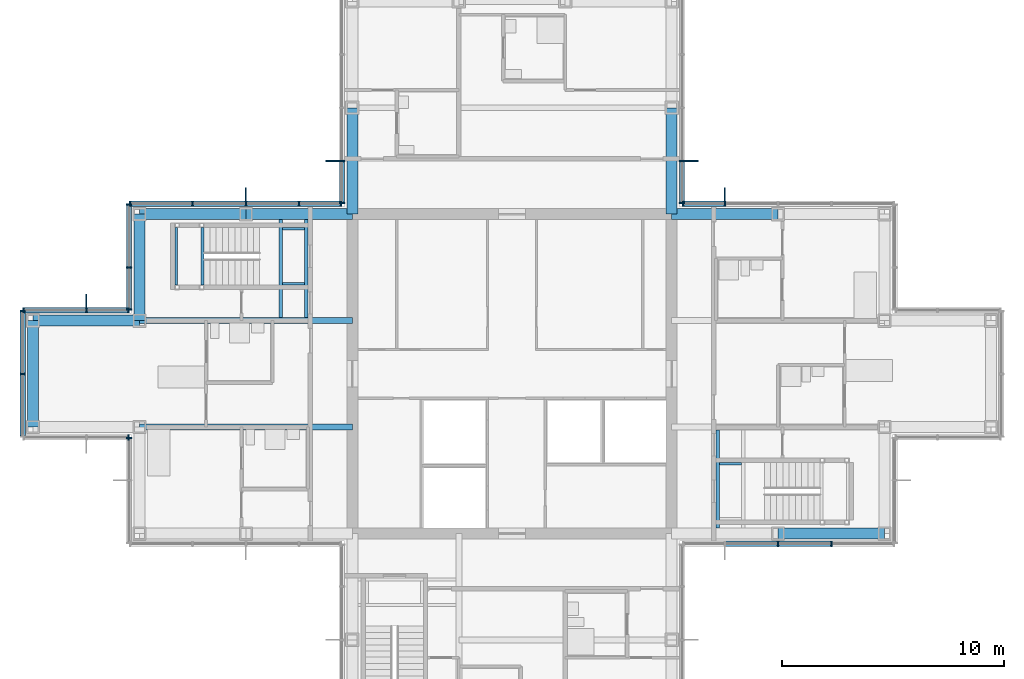
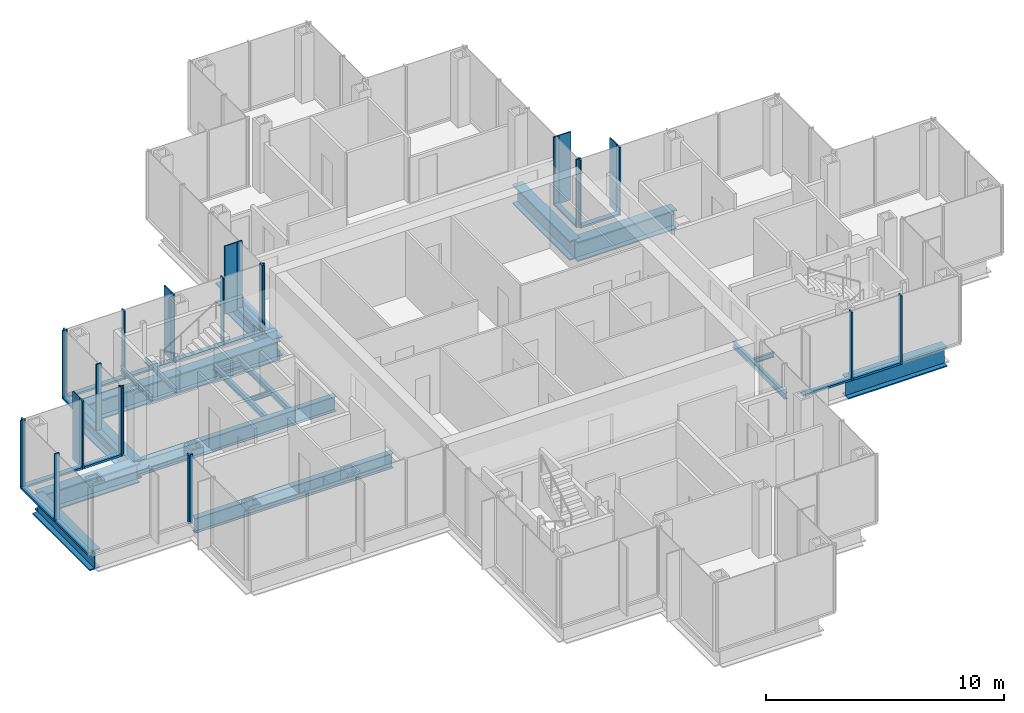
# One storey, part 7 of 17: 43 members, 19 beams, 10 elements without a shape of their own.
"""IFC4 building model written with IfcOpenShell, lengths in metres."""

from ifc_helpers import new_model, si_unit, direction, frame, origin, origin_2d, place, context, subcontext, project, spatial, rectangle, i_section, extrude, material, material_profile, profile_set, type_object, element, aggregate, save


model = new_model("IFC4")

# Units and contexts
model_context = context("Model", 3, precision=1e-05, world=origin(), true_north=direction((0.0, 1.0)))
body_context = subcontext(model_context, "Body", "Model", "MODEL_VIEW")
ifc_project = project(units=[si_unit("LENGTHUNIT", "METRE"), si_unit("AREAUNIT", "SQUARE_METRE"), si_unit("VOLUMEUNIT", "CUBIC_METRE"), si_unit("PLANEANGLEUNIT", "RADIAN"), si_unit("MASSUNIT", "GRAM", prefix="KILO")], contexts=[model_context])

# Site, building, storey
site_placement = place(None, origin())
site = spatial("IfcSite", under=ifc_project, at=site_placement, CompositionType="ELEMENT")
building_placement = place(site_placement, origin())
building = spatial("IfcBuilding", under=site, at=building_placement, Name="Kvirike Care Tower", CompositionType="ELEMENT")
storey_placement = place(building_placement, frame((0.0, 0.0, 172.5)))
storey = spatial("IfcBuildingStorey", under=building, at=storey_placement, Name="L47", CompositionType="ELEMENT", Elevation=172.5)

# Curtain wall, member
ifc_material_1 = material(Name="Anodised aluminium stick system", Category="aluminium")
curtain_wall_type = type_object("IfcCurtainWallType", Name="CW-C STICK CURTAIN WALL", PredefinedType="NOTDEFINED", material=ifc_material_1)
curtain_wall_1_placement = place(storey_placement, origin())
curtain_wall_1 = element("IfcCurtainWall", 1, at=curtain_wall_1_placement, inside=storey, type_object=curtain_wall_type, Name="Curtain wall L47 face 7", PredefinedType="NOTDEFINED")
ifc_material_2 = material(Name="Bronze anodised aluminium fin", Category="aluminium")
ifc_material_profile_1 = material_profile(ifc_material_2, rectangle(XDim=0.050048828125, YDim=0.60009765625, at=origin_2d()), Name="BRONZE FIN 600")
ifc_profile_set_1 = profile_set([ifc_material_profile_1], Name="Bronze anodised aluminium fin")
member_type_1 = type_object("IfcMemberType", Name="BRONZE FIN 600", PredefinedType="USERDEFINED", material=ifc_profile_set_1)
member_1_placement = place(storey_placement, frame((31.199951171875, 44.090087890625, 0.0), z_axis=(0.0, 0.0, 1.0), x_axis=(-1.0, 0.0, 0.0)))
member_1 = element("IfcMember", 2, at=member_1_placement, type_object=member_type_1, Name="Bronze fin L47 face 7.4", ObjectType="FIN", PredefinedType="USERDEFINED", context=body_context, shape_type="SweptSolid", body=[
    extrude(rectangle(XDim=0.050048828125, YDim=0.60009765625, at=origin_2d()), origin(), (0.0, 0.0, 1.0), 3.5),
])

curtain_wall_2_placement = place(storey_placement, origin())
curtain_wall_2 = element("IfcCurtainWall", 3, at=curtain_wall_2_placement, inside=storey, type_object=curtain_wall_type, Name="Curtain wall L47 face 8", PredefinedType="NOTDEFINED")
member_2_placement = place(storey_placement, frame((29.68994140625, 45.60009765625, 0.0), z_axis=(0.0, 0.0, 1.0), x_axis=(0.0, 1.0, 0.0)))
member_2 = element("IfcMember", 4, at=member_2_placement, type_object=member_type_1, Name="Bronze fin L47 face 8.2", ObjectType="FIN", PredefinedType="USERDEFINED", context=body_context, shape_type="SweptSolid", body=[
    extrude(rectangle(XDim=0.050048828125, YDim=0.60009765625, at=origin_2d()), origin(), (0.0, 0.0, 1.0), 3.5),
])

curtain_wall_3_placement = place(storey_placement, origin())
curtain_wall_3 = element("IfcCurtainWall", 5, at=curtain_wall_3_placement, inside=storey, type_object=curtain_wall_type, Name="Curtain wall L47 face 14", PredefinedType="NOTDEFINED")
member_3_placement = place(storey_placement, frame((13.510009765625, 45.60009765625, 0.0), z_axis=(0.0, 0.0, 1.0), x_axis=(0.0, -1.0, 0.0)))
member_3 = element("IfcMember", 6, at=member_3_placement, type_object=member_type_1, Name="Bronze fin L47 face 14.4", ObjectType="FIN", PredefinedType="USERDEFINED", context=body_context, shape_type="SweptSolid", body=[
    extrude(rectangle(XDim=0.050048828125, YDim=0.60009765625, at=origin_2d()), origin(), (0.0, 0.0, 1.0), 3.5),
])

curtain_wall_4_placement = place(storey_placement, origin())
curtain_wall_4 = element("IfcCurtainWall", 7, at=curtain_wall_4_placement, inside=storey, type_object=curtain_wall_type, Name="Curtain wall L47 face 15", PredefinedType="NOTDEFINED")
member_4_placement = place(storey_placement, frame((9.60009765625, 44.090087890625, 0.0), z_axis=(0.0, 0.0, 1.0), x_axis=(-1.0, 0.0, 0.0)))
member_4 = element("IfcMember", 8, at=member_4_placement, type_object=member_type_1, Name="Bronze fin L47 face 15.3", ObjectType="FIN", PredefinedType="USERDEFINED", context=body_context, shape_type="SweptSolid", body=[
    extrude(rectangle(XDim=0.050048828125, YDim=0.60009765625, at=origin_2d()), origin(), (0.0, 0.0, 1.0), 3.5),
])

curtain_wall_5_placement = place(storey_placement, origin())
curtain_wall_5 = element("IfcCurtainWall", 9, at=curtain_wall_5_placement, inside=storey, type_object=curtain_wall_type, Name="Curtain wall L47 face 17", PredefinedType="NOTDEFINED")
member_5_placement = place(storey_placement, frame((2.39990234375, 39.2900390625, 0.0), z_axis=(0.0, 0.0, 1.0), x_axis=(-1.0, 0.0, 0.0)))
member_5 = element("IfcMember", 10, at=member_5_placement, type_object=member_type_1, Name="Bronze fin L47 face 17.2", ObjectType="FIN", PredefinedType="USERDEFINED", context=body_context, shape_type="SweptSolid", body=[
    extrude(rectangle(XDim=0.050048828125, YDim=0.60009765625, at=origin_2d()), origin(), (0.0, 0.0, 1.0), 3.5),
])

# Curtain wall, members
curtain_wall_6_placement = place(storey_placement, origin())
curtain_wall_6 = element("IfcCurtainWall", 11, at=curtain_wall_6_placement, inside=storey, type_object=curtain_wall_type, Name="Curtain wall L47 face 1", PredefinedType="NOTDEFINED")
ifc_material_3 = material(Name="Bronze anodised aluminium mullion", Category="aluminium")
ifc_material_profile_2 = material_profile(ifc_material_3, rectangle(XDim=0.06494140625, YDim=0.239990234375, at=origin_2d()), Name="CW-C MULLION 65x240")
ifc_profile_set_2 = profile_set([ifc_material_profile_2], Name="Bronze anodised aluminium mullion")
member_type_2 = type_object("IfcMemberType", Name="CW-C MULLION 65x240", PredefinedType="MULLION", material=ifc_profile_set_2)
member_6_placement = place(storey_placement, frame((33.60009765625, 28.330078125, 0.0), z_axis=(0.0, 0.0, 1.0), x_axis=(1.0, 0.0, 0.0)))
member_6 = element("IfcMember", 12, at=member_6_placement, type_object=member_type_2, Name="CW-C mullion L47 face 1.3", PredefinedType="MULLION", context=body_context, shape_type="SweptSolid", body=[
    extrude(rectangle(XDim=0.06494140625, YDim=0.239990234375, at=origin_2d()), origin(), (0.0, 0.0, 1.0), 3.5),
])
member_7_placement = place(storey_placement, frame((36.0, 28.330078125, 0.0), z_axis=(0.0, 0.0, 1.0), x_axis=(1.0, 0.0, 0.0)))
member_7 = element("IfcMember", 13, at=member_7_placement, type_object=member_type_2, Name="CW-C mullion L47 face 1.4", PredefinedType="MULLION", context=body_context, shape_type="SweptSolid", body=[
    extrude(rectangle(XDim=0.06494140625, YDim=0.239990234375, at=origin_2d()), origin(), (0.0, 0.0, 1.0), 3.5),
])

# Member
member_8_placement = place(storey_placement, frame((31.199951171875, 43.669921875, 0.0), z_axis=(0.0, 0.0, 1.0), x_axis=(-1.0, 0.0, 0.0)))
member_8 = element("IfcMember", 14, at=member_8_placement, type_object=member_type_2, Name="CW-C mullion L47 face 7.4", PredefinedType="MULLION", context=body_context, shape_type="SweptSolid", body=[
    extrude(rectangle(XDim=0.06494140625, YDim=0.239990234375, at=origin_2d()), origin(), (0.0, 0.0, 1.0), 3.5),
])

member_9_placement = place(storey_placement, frame((29.302490234375, 43.669921875, 0.0), z_axis=(0.0, 0.0, 1.0), x_axis=(-1.0, 0.0, 0.0)))
member_9 = element("IfcMember", 15, at=member_9_placement, type_object=member_type_2, Name="CW-C mullion L47 face 7.5", PredefinedType="MULLION", context=body_context, shape_type="SweptSolid", body=[
    extrude(rectangle(XDim=0.06494140625, YDim=0.239990234375, at=origin_2d()), origin(), (0.0, 0.0, 1.0), 3.5),
])

member_10_placement = place(storey_placement, frame((29.27001953125, 43.702392578125, 0.0), z_axis=(0.0, 0.0, 1.0), x_axis=(0.0, 1.0, 0.0)))
member_10 = element("IfcMember", 16, at=member_10_placement, type_object=member_type_2, Name="CW-C mullion L47 face 8.1", PredefinedType="MULLION", context=body_context, shape_type="SweptSolid", body=[
    extrude(rectangle(XDim=0.06494140625, YDim=0.239990234375, at=origin_2d()), origin(), (0.0, 0.0, 1.0), 3.5),
])

member_11_placement = place(storey_placement, frame((29.27001953125, 45.60009765625, 0.0), z_axis=(0.0, 0.0, 1.0), x_axis=(0.0, 1.0, 0.0)))
member_11 = element("IfcMember", 17, at=member_11_placement, type_object=member_type_2, Name="CW-C mullion L47 face 8.2", PredefinedType="MULLION", context=body_context, shape_type="SweptSolid", body=[
    extrude(rectangle(XDim=0.06494140625, YDim=0.239990234375, at=origin_2d()), origin(), (0.0, 0.0, 1.0), 3.5),
])

member_12_placement = place(storey_placement, frame((13.929931640625, 45.60009765625, 0.0), z_axis=(0.0, 0.0, 1.0), x_axis=(0.0, -1.0, 0.0)))
member_12 = element("IfcMember", 18, at=member_12_placement, type_object=member_type_2, Name="CW-C mullion L47 face 14.4", PredefinedType="MULLION", context=body_context, shape_type="SweptSolid", body=[
    extrude(rectangle(XDim=0.06494140625, YDim=0.239990234375, at=origin_2d()), origin(), (0.0, 0.0, 1.0), 3.5),
])

member_13_placement = place(storey_placement, frame((13.929931640625, 43.702392578125, 0.0), z_axis=(0.0, 0.0, 1.0), x_axis=(0.0, -1.0, 0.0)))
member_13 = element("IfcMember", 19, at=member_13_placement, type_object=member_type_2, Name="CW-C mullion L47 face 14.5", PredefinedType="MULLION", context=body_context, shape_type="SweptSolid", body=[
    extrude(rectangle(XDim=0.06494140625, YDim=0.239990234375, at=origin_2d()), origin(), (0.0, 0.0, 1.0), 3.5),
])

member_14_placement = place(storey_placement, frame((13.8974609375, 43.669921875, 0.0), z_axis=(0.0, 0.0, 1.0), x_axis=(-1.0, 0.0, 0.0)))
member_14 = element("IfcMember", 20, at=member_14_placement, type_object=member_type_2, Name="CW-C mullion L47 face 15.1", PredefinedType="MULLION", context=body_context, shape_type="SweptSolid", body=[
    extrude(rectangle(XDim=0.06494140625, YDim=0.239990234375, at=origin_2d()), origin(), (0.0, 0.0, 1.0), 3.5),
])

member_15_placement = place(storey_placement, frame((12.0, 43.669921875, 0.0), z_axis=(0.0, 0.0, 1.0), x_axis=(-1.0, 0.0, 0.0)))
member_15 = element("IfcMember", 21, at=member_15_placement, type_object=member_type_2, Name="CW-C mullion L47 face 15.2", PredefinedType="MULLION", context=body_context, shape_type="SweptSolid", body=[
    extrude(rectangle(XDim=0.06494140625, YDim=0.239990234375, at=origin_2d()), origin(), (0.0, 0.0, 1.0), 3.5),
])

member_16_placement = place(storey_placement, frame((9.60009765625, 43.669921875, 0.0), z_axis=(0.0, 0.0, 1.0), x_axis=(-1.0, 0.0, 0.0)))
member_16 = element("IfcMember", 22, at=member_16_placement, type_object=member_type_2, Name="CW-C mullion L47 face 15.3", PredefinedType="MULLION", context=body_context, shape_type="SweptSolid", body=[
    extrude(rectangle(XDim=0.06494140625, YDim=0.239990234375, at=origin_2d()), origin(), (0.0, 0.0, 1.0), 3.5),
])

member_17_placement = place(storey_placement, frame((7.199951171875, 43.669921875, 0.0), z_axis=(0.0, 0.0, 1.0), x_axis=(-1.0, 0.0, 0.0)))
member_17 = element("IfcMember", 23, at=member_17_placement, type_object=member_type_2, Name="CW-C mullion L47 face 15.4", PredefinedType="MULLION", context=body_context, shape_type="SweptSolid", body=[
    extrude(rectangle(XDim=0.06494140625, YDim=0.239990234375, at=origin_2d()), origin(), (0.0, 0.0, 1.0), 3.5),
])

member_18_placement = place(storey_placement, frame((4.362548828125, 43.669921875, 0.0), z_axis=(0.0, 0.0, 1.0), x_axis=(-1.0, 0.0, 0.0)))
member_18 = element("IfcMember", 24, at=member_18_placement, type_object=member_type_2, Name="CW-C mullion L47 face 15.5", PredefinedType="MULLION", context=body_context, shape_type="SweptSolid", body=[
    extrude(rectangle(XDim=0.06494140625, YDim=0.239990234375, at=origin_2d()), origin(), (0.0, 0.0, 1.0), 3.5),
])

# Curtain wall, members
curtain_wall_7_placement = place(storey_placement, origin())
curtain_wall_7 = element("IfcCurtainWall", 25, at=curtain_wall_7_placement, inside=storey, type_object=curtain_wall_type, Name="Curtain wall L47 face 16", PredefinedType="NOTDEFINED")
member_19_placement = place(storey_placement, frame((4.330078125, 43.637451171875, 0.0), z_axis=(0.0, 0.0, 1.0), x_axis=(0.0, -1.0, 0.0)))
member_19 = element("IfcMember", 26, at=member_19_placement, type_object=member_type_2, Name="CW-C mullion L47 face 16.1", PredefinedType="MULLION", context=body_context, shape_type="SweptSolid", body=[
    extrude(rectangle(XDim=0.06494140625, YDim=0.239990234375, at=origin_2d()), origin(), (0.0, 0.0, 1.0), 3.5),
])
member_20_placement = place(storey_placement, frame((4.330078125, 40.800048828125, 0.0), z_axis=(0.0, 0.0, 1.0), x_axis=(0.0, -1.0, 0.0)))
member_20 = element("IfcMember", 27, at=member_20_placement, type_object=member_type_2, Name="CW-C mullion L47 face 16.2", PredefinedType="MULLION", context=body_context, shape_type="SweptSolid", body=[
    extrude(rectangle(XDim=0.06494140625, YDim=0.239990234375, at=origin_2d()), origin(), (0.0, 0.0, 1.0), 3.5),
])
member_21_placement = place(storey_placement, frame((4.330078125, 38.902587890625, 0.0), z_axis=(0.0, 0.0, 1.0), x_axis=(0.0, -1.0, 0.0)))
member_21 = element("IfcMember", 28, at=member_21_placement, type_object=member_type_2, Name="CW-C mullion L47 face 16.3", PredefinedType="MULLION", context=body_context, shape_type="SweptSolid", body=[
    extrude(rectangle(XDim=0.06494140625, YDim=0.239990234375, at=origin_2d()), origin(), (0.0, 0.0, 1.0), 3.5),
])

# Member
member_22_placement = place(storey_placement, frame((4.297607421875, 38.8701171875, 0.0), z_axis=(0.0, 0.0, 1.0), x_axis=(-1.0, 0.0, 0.0)))
member_22 = element("IfcMember", 29, at=member_22_placement, type_object=member_type_2, Name="CW-C mullion L47 face 17.1", PredefinedType="MULLION", context=body_context, shape_type="SweptSolid", body=[
    extrude(rectangle(XDim=0.06494140625, YDim=0.239990234375, at=origin_2d()), origin(), (0.0, 0.0, 1.0), 3.5),
])

member_23_placement = place(storey_placement, frame((2.39990234375, 38.8701171875, 0.0), z_axis=(0.0, 0.0, 1.0), x_axis=(-1.0, 0.0, 0.0)))
member_23 = element("IfcMember", 30, at=member_23_placement, type_object=member_type_2, Name="CW-C mullion L47 face 17.2", PredefinedType="MULLION", context=body_context, shape_type="SweptSolid", body=[
    extrude(rectangle(XDim=0.06494140625, YDim=0.239990234375, at=origin_2d()), origin(), (0.0, 0.0, 1.0), 3.5),
])

member_24_placement = place(storey_placement, frame((-0.4375, 38.8701171875, 0.0), z_axis=(0.0, 0.0, 1.0), x_axis=(-1.0, 0.0, 0.0)))
member_24 = element("IfcMember", 31, at=member_24_placement, type_object=member_type_2, Name="CW-C mullion L47 face 17.3", PredefinedType="MULLION", context=body_context, shape_type="SweptSolid", body=[
    extrude(rectangle(XDim=0.06494140625, YDim=0.239990234375, at=origin_2d()), origin(), (0.0, 0.0, 1.0), 3.5),
])

# Curtain wall, members
curtain_wall_8_placement = place(storey_placement, origin())
curtain_wall_8 = element("IfcCurtainWall", 32, at=curtain_wall_8_placement, inside=storey, type_object=curtain_wall_type, Name="Curtain wall L47 face 18", PredefinedType="NOTDEFINED")
member_25_placement = place(storey_placement, frame((-0.469970703125, 38.83740234375, 0.0), z_axis=(0.0, 0.0, 1.0), x_axis=(0.0, -1.0, 0.0)))
member_25 = element("IfcMember", 33, at=member_25_placement, type_object=member_type_2, Name="CW-C mullion L47 face 18.1", PredefinedType="MULLION", context=body_context, shape_type="SweptSolid", body=[
    extrude(rectangle(XDim=0.06494140625, YDim=0.239990234375, at=origin_2d()), origin(), (0.0, 0.0, 1.0), 3.5),
])
member_26_placement = place(storey_placement, frame((-0.469970703125, 36.0, 0.0), z_axis=(0.0, 0.0, 1.0), x_axis=(0.0, -1.0, 0.0)))
member_26 = element("IfcMember", 34, at=member_26_placement, type_object=member_type_2, Name="CW-C mullion L47 face 18.2", PredefinedType="MULLION", context=body_context, shape_type="SweptSolid", body=[
    extrude(rectangle(XDim=0.06494140625, YDim=0.239990234375, at=origin_2d()), origin(), (0.0, 0.0, 1.0), 3.5),
])

# Curtain wall, member
curtain_wall_9_placement = place(storey_placement, origin())
curtain_wall_9 = element("IfcCurtainWall", 35, at=curtain_wall_9_placement, inside=storey, type_object=curtain_wall_type, Name="Curtain wall L47 face 19", PredefinedType="NOTDEFINED")
member_27_placement = place(storey_placement, frame((4.297607421875, 33.1298828125, 0.0), z_axis=(0.0, 0.0, 1.0), x_axis=(1.0, 0.0, 0.0)))
member_27 = element("IfcMember", 36, at=member_27_placement, type_object=member_type_2, Name="CW-C mullion L47 face 19.3", PredefinedType="MULLION", context=body_context, shape_type="SweptSolid", body=[
    extrude(rectangle(XDim=0.06494140625, YDim=0.239990234375, at=origin_2d()), origin(), (0.0, 0.0, 1.0), 3.5),
])
aggregate(curtain_wall_9, [member_27])

curtain_wall_10_placement = place(storey_placement, origin())
curtain_wall_10 = element("IfcCurtainWall", 37, at=curtain_wall_10_placement, inside=storey, type_object=curtain_wall_type, Name="Curtain wall L47 face 20", PredefinedType="NOTDEFINED")
member_28_placement = place(storey_placement, frame((4.330078125, 33.097412109375, 0.0), z_axis=(0.0, 0.0, 1.0), x_axis=(0.0, -1.0, 0.0)))
member_28 = element("IfcMember", 38, at=member_28_placement, type_object=member_type_2, Name="CW-C mullion L47 face 20.1", PredefinedType="MULLION", context=body_context, shape_type="SweptSolid", body=[
    extrude(rectangle(XDim=0.06494140625, YDim=0.239990234375, at=origin_2d()), origin(), (0.0, 0.0, 1.0), 3.5),
])
aggregate(curtain_wall_10, [member_28])

# Member
ifc_material_4 = material(Name="Bronze anodised aluminium transom", Category="aluminium")
ifc_material_profile_3 = material_profile(ifc_material_4, rectangle(XDim=0.239990234375, YDim=0.10009765625, at=origin_2d()), Name="CW-C TRANSOM 240x100")
ifc_profile_set_3 = profile_set([ifc_material_profile_3], Name="Bronze anodised aluminium transom")
member_type_3 = type_object("IfcMemberType", Name="CW-C TRANSOM 240x100", PredefinedType="USERDEFINED", material=ifc_profile_set_3)
member_29_placement = place(storey_placement, frame((31.232421875, 28.330078125, 0.050048828125), z_axis=(1.0, 0.0, 0.0), x_axis=(0.0, 1.0, 0.0)))
member_29 = element("IfcMember", 39, at=member_29_placement, type_object=member_type_3, Name="CW-C sill transom L47 face 1.2", ObjectType="TRANSOM", PredefinedType="USERDEFINED", context=body_context, shape_type="SweptSolid", body=[
    extrude(rectangle(XDim=0.239990234375, YDim=0.10009765625, at=origin_2d()), origin(), (0.0, 0.0, 1.0), 2.3349609375),
])

member_30_placement = place(storey_placement, frame((33.632568359375, 28.330078125, 0.050048828125), z_axis=(1.0, 0.0, 0.0), x_axis=(0.0, 1.0, 0.0)))
member_30 = element("IfcMember", 40, at=member_30_placement, type_object=member_type_3, Name="CW-C sill transom L47 face 1.3", ObjectType="TRANSOM", PredefinedType="USERDEFINED", context=body_context, shape_type="SweptSolid", body=[
    extrude(rectangle(XDim=0.239990234375, YDim=0.10009765625, at=origin_2d()), origin(), (0.0, 0.0, 1.0), 2.3349609375),
])

aggregate(curtain_wall_6, [member_6, member_7, member_29, member_30])

member_31_placement = place(storey_placement, frame((31.16748046875, 43.669921875, 0.050048828125), z_axis=(-1.0, 0.0, 0.0), x_axis=(0.0, -1.0, 0.0)))
member_31 = element("IfcMember", 41, at=member_31_placement, type_object=member_type_3, Name="CW-C sill transom L47 face 7.4", ObjectType="TRANSOM", PredefinedType="USERDEFINED", context=body_context, shape_type="SweptSolid", body=[
    extrude(rectangle(XDim=0.239990234375, YDim=0.10009765625, at=origin_2d()), origin(), (0.0, 0.0, 1.0), 1.83251953125),
])

aggregate(curtain_wall_1, [member_8, member_1, member_9, member_31])

member_32_placement = place(storey_placement, frame((29.27001953125, 43.735107421875, 0.050048828125), z_axis=(0.0, 1.0, 0.0), x_axis=(-1.0, 0.0, 0.0)))
member_32 = element("IfcMember", 42, at=member_32_placement, type_object=member_type_3, Name="CW-C sill transom L47 face 8.1", ObjectType="TRANSOM", PredefinedType="USERDEFINED", context=body_context, shape_type="SweptSolid", body=[
    extrude(rectangle(XDim=0.239990234375, YDim=0.10009765625, at=origin_2d()), origin(), (0.0, 0.0, 1.0), 1.832275390625),
])

aggregate(curtain_wall_2, [member_10, member_11, member_2, member_32])

member_33_placement = place(storey_placement, frame((13.929931640625, 45.5673828125, 0.050048828125), z_axis=(0.0, -1.0, 0.0), x_axis=(1.0, 0.0, 0.0)))
member_33 = element("IfcMember", 43, at=member_33_placement, type_object=member_type_3, Name="CW-C sill transom L47 face 14.4", ObjectType="TRANSOM", PredefinedType="USERDEFINED", context=body_context, shape_type="SweptSolid", body=[
    extrude(rectangle(XDim=0.239990234375, YDim=0.10009765625, at=origin_2d()), origin(), (0.0, 0.0, 1.0), 1.832275390625),
])

aggregate(curtain_wall_3, [member_12, member_3, member_13, member_33])

member_34_placement = place(storey_placement, frame((13.864990234375, 43.669921875, 0.050048828125), z_axis=(-1.0, 0.0, 0.0), x_axis=(0.0, -1.0, 0.0)))
member_34 = element("IfcMember", 44, at=member_34_placement, type_object=member_type_3, Name="CW-C sill transom L47 face 15.1", ObjectType="TRANSOM", PredefinedType="USERDEFINED", context=body_context, shape_type="SweptSolid", body=[
    extrude(rectangle(XDim=0.239990234375, YDim=0.10009765625, at=origin_2d()), origin(), (0.0, 0.0, 1.0), 1.83251953125),
])

member_35_placement = place(storey_placement, frame((11.967529296875, 43.669921875, 0.050048828125), z_axis=(-1.0, 0.0, 0.0), x_axis=(0.0, -1.0, 0.0)))
member_35 = element("IfcMember", 45, at=member_35_placement, type_object=member_type_3, Name="CW-C sill transom L47 face 15.2", ObjectType="TRANSOM", PredefinedType="USERDEFINED", context=body_context, shape_type="SweptSolid", body=[
    extrude(rectangle(XDim=0.239990234375, YDim=0.10009765625, at=origin_2d()), origin(), (0.0, 0.0, 1.0), 2.3349609375),
])

member_36_placement = place(storey_placement, frame((9.5673828125, 43.669921875, 0.050048828125), z_axis=(-1.0, 0.0, 0.0), x_axis=(0.0, -1.0, 0.0)))
member_36 = element("IfcMember", 46, at=member_36_placement, type_object=member_type_3, Name="CW-C sill transom L47 face 15.3", ObjectType="TRANSOM", PredefinedType="USERDEFINED", context=body_context, shape_type="SweptSolid", body=[
    extrude(rectangle(XDim=0.239990234375, YDim=0.10009765625, at=origin_2d()), origin(), (0.0, 0.0, 1.0), 2.3349609375),
])

member_37_placement = place(storey_placement, frame((7.16748046875, 43.669921875, 0.050048828125), z_axis=(-1.0, 0.0, 0.0), x_axis=(0.0, -1.0, 0.0)))
member_37 = element("IfcMember", 47, at=member_37_placement, type_object=member_type_3, Name="CW-C sill transom L47 face 15.4", ObjectType="TRANSOM", PredefinedType="USERDEFINED", context=body_context, shape_type="SweptSolid", body=[
    extrude(rectangle(XDim=0.239990234375, YDim=0.10009765625, at=origin_2d()), origin(), (0.0, 0.0, 1.0), 2.7724609375),
])

aggregate(curtain_wall_4, [member_14, member_15, member_16, member_4, member_17, member_18, member_34, member_35, member_36, member_37])

member_38_placement = place(storey_placement, frame((4.330078125, 43.60498046875, 0.050048828125), z_axis=(0.0, -1.0, 0.0), x_axis=(1.0, 0.0, 0.0)))
member_38 = element("IfcMember", 48, at=member_38_placement, type_object=member_type_3, Name="CW-C sill transom L47 face 16.1", ObjectType="TRANSOM", PredefinedType="USERDEFINED", context=body_context, shape_type="SweptSolid", body=[
    extrude(rectangle(XDim=0.239990234375, YDim=0.10009765625, at=origin_2d()), origin(), (0.0, 0.0, 1.0), 2.7724609375),
])

member_39_placement = place(storey_placement, frame((4.330078125, 40.767578125, 0.050048828125), z_axis=(0.0, -1.0, 0.0), x_axis=(1.0, 0.0, 0.0)))
member_39 = element("IfcMember", 49, at=member_39_placement, type_object=member_type_3, Name="CW-C sill transom L47 face 16.2", ObjectType="TRANSOM", PredefinedType="USERDEFINED", context=body_context, shape_type="SweptSolid", body=[
    extrude(rectangle(XDim=0.239990234375, YDim=0.10009765625, at=origin_2d()), origin(), (0.0, 0.0, 1.0), 1.83251953125),
])

aggregate(curtain_wall_7, [member_19, member_20, member_21, member_38, member_39])

member_40_placement = place(storey_placement, frame((4.264892578125, 38.8701171875, 0.050048828125), z_axis=(-1.0, 0.0, 0.0), x_axis=(0.0, -1.0, 0.0)))
member_40 = element("IfcMember", 50, at=member_40_placement, type_object=member_type_3, Name="CW-C sill transom L47 face 17.1", ObjectType="TRANSOM", PredefinedType="USERDEFINED", context=body_context, shape_type="SweptSolid", body=[
    extrude(rectangle(XDim=0.239990234375, YDim=0.10009765625, at=origin_2d()), origin(), (0.0, 0.0, 1.0), 1.832275390625),
])

member_41_placement = place(storey_placement, frame((2.367431640625, 38.8701171875, 0.050048828125), z_axis=(-1.0, 0.0, 0.0), x_axis=(0.0, -1.0, 0.0)))
member_41 = element("IfcMember", 51, at=member_41_placement, type_object=member_type_3, Name="CW-C sill transom L47 face 17.2", ObjectType="TRANSOM", PredefinedType="USERDEFINED", context=body_context, shape_type="SweptSolid", body=[
    extrude(rectangle(XDim=0.239990234375, YDim=0.10009765625, at=origin_2d()), origin(), (0.0, 0.0, 1.0), 2.7724609375),
])

aggregate(curtain_wall_5, [member_22, member_23, member_5, member_24, member_40, member_41])

member_42_placement = place(storey_placement, frame((-0.469970703125, 38.804931640625, 0.050048828125), z_axis=(0.0, -1.0, 0.0), x_axis=(1.0, 0.0, 0.0)))
member_42 = element("IfcMember", 52, at=member_42_placement, type_object=member_type_3, Name="CW-C sill transom L47 face 18.1", ObjectType="TRANSOM", PredefinedType="USERDEFINED", context=body_context, shape_type="SweptSolid", body=[
    extrude(rectangle(XDim=0.239990234375, YDim=0.10009765625, at=origin_2d()), origin(), (0.0, 0.0, 1.0), 2.7724609375),
])

member_43_placement = place(storey_placement, frame((-0.469970703125, 35.967529296875, 0.050048828125), z_axis=(0.0, -1.0, 0.0), x_axis=(1.0, 0.0, 0.0)))
member_43 = element("IfcMember", 53, at=member_43_placement, type_object=member_type_3, Name="CW-C sill transom L47 face 18.2", ObjectType="TRANSOM", PredefinedType="USERDEFINED", context=body_context, shape_type="SweptSolid", body=[
    extrude(rectangle(XDim=0.239990234375, YDim=0.10009765625, at=origin_2d()), origin(), (0.0, 0.0, 1.0), 2.7724609375),
])

aggregate(curtain_wall_8, [member_25, member_26, member_42, member_43])

# Beams
ifc_material_5 = material(Name="Steel S355", Category="steel")
ifc_material_profile_4 = material_profile(ifc_material_5, i_section(OverallWidth=0.26806640625, OverallDepth=0.77001953125, WebThickness=0.015625, FlangeThickness=0.025390625, FilletRadius=0.01708984375, at=origin_2d()), Name="IPE 750x196")
ifc_profile_set_4 = profile_set([ifc_material_profile_4], Name="Steel S355")
beam_type_1 = type_object("IfcBeamType", Name="FLOOR BEAM IPE 750x196", PredefinedType="BEAM", material=ifc_profile_set_4)
for number, where, z_axis, x_axis, name in (
    (54, (4.800048828125, 33.60009765625, -0.554931640625), (1.0, 0.0, 0.0), (0.0, 1.0, 0.0), "Floor Beam H4-H6 L47"),
    (55, (4.800048828125, 38.39990234375, -0.554931640625), (1.0, 0.0, 0.0), (0.0, 1.0, 0.0), "Floor Beam J4-J6 L47"),
):
    element("IfcBeam", number, at=place(storey_placement, frame(where, z_axis=z_axis, x_axis=x_axis)), inside=storey, type_object=beam_type_1, Name=name, PredefinedType="BEAM", context=body_context, shape_type="SweptSolid", body=[
        extrude(i_section(OverallWidth=0.26806640625, OverallDepth=0.77001953125, WebThickness=0.015625, FlangeThickness=0.025390625, FilletRadius=0.01708984375, at=origin_2d()), origin(), (0.0, 0.0, 1.0), 9.599853515625),
    ])
ifc_material_6 = material(Name="Steel S355", Category="steel")
ifc_material_profile_5 = material_profile(ifc_material_6, i_section(OverallWidth=0.5, OverallDepth=1.0, WebThickness=0.030029296875, FlangeThickness=0.06005859375, at=origin_2d()), Name="PG 1000x500x30x60")
ifc_profile_set_5 = profile_set([ifc_material_profile_5], Name="Steel S355")
beam_type_2 = type_object("IfcBeamType", Name="SPANDREL PG 1000x500x30x60", PredefinedType="SPANDREL", material=ifc_profile_set_5)
beam_1_placement = place(storey_placement, frame((33.60009765625, 28.800048828125, -0.669921875), z_axis=(1.0, 0.0, 0.0), x_axis=(0.0, 1.0, 0.0)))
element("IfcBeam", 56, at=beam_1_placement, inside=storey, type_object=beam_type_2, Name="Spandrel G10-G11 L47", PredefinedType="SPANDREL", context=body_context, shape_type="SweptSolid", body=[
    extrude(i_section(OverallWidth=0.5, OverallDepth=1.0, WebThickness=0.030029296875, FlangeThickness=0.06005859375, at=origin_2d()), origin(), (0.0, 0.0, 1.0), 4.7998046875),
])
for number, where, z_axis, x_axis, name in (
    (57, (0.0, 38.39990234375, -0.669921875), (1.0, 0.0, 0.0), (0.0, 1.0, 0.0), "Spandrel J3-J4 L47"),
    (58, (4.800048828125, 43.199951171875, -0.669921875), (1.0, 0.0, 0.0), (0.0, 1.0, 0.0), "Spandrel K4-K5 L47"),
):
    element("IfcBeam", number, at=place(storey_placement, frame(where, z_axis=z_axis, x_axis=x_axis)), inside=storey, type_object=beam_type_2, Name=name, PredefinedType="SPANDREL", context=body_context, shape_type="SweptSolid", body=[
        extrude(i_section(OverallWidth=0.5, OverallDepth=1.0, WebThickness=0.030029296875, FlangeThickness=0.06005859375, at=origin_2d()), origin(), (0.0, 0.0, 1.0), 4.800048828125),
    ])
beam_2_placement = place(storey_placement, frame((9.60009765625, 43.199951171875, -0.669921875), z_axis=(1.0, 0.0, 0.0), x_axis=(0.0, 1.0, 0.0)))
element("IfcBeam", 59, at=beam_2_placement, inside=storey, type_object=beam_type_2, Name="Spandrel K5-K6 L47", PredefinedType="SPANDREL", context=body_context, shape_type="SweptSolid", body=[
    extrude(i_section(OverallWidth=0.5, OverallDepth=1.0, WebThickness=0.030029296875, FlangeThickness=0.06005859375, at=origin_2d()), origin(), (0.0, 0.0, 1.0), 4.7998046875),
])
beam_3_placement = place(storey_placement, frame((28.800048828125, 43.199951171875, -0.669921875), z_axis=(1.0, 0.0, 0.0), x_axis=(0.0, 1.0, 0.0)))
element("IfcBeam", 60, at=beam_3_placement, inside=storey, type_object=beam_type_2, Name="Spandrel K9-K10 L47", PredefinedType="SPANDREL", context=body_context, shape_type="SweptSolid", body=[
    extrude(i_section(OverallWidth=0.5, OverallDepth=1.0, WebThickness=0.030029296875, FlangeThickness=0.06005859375, at=origin_2d()), origin(), (0.0, 0.0, 1.0), 4.800048828125),
])
beam_4_placement = place(storey_placement, frame((0.0, 33.60009765625, -0.669921875), z_axis=(0.0, 1.0, 0.0), x_axis=(-1.0, 0.0, 0.0)))
element("IfcBeam", 61, at=beam_4_placement, inside=storey, type_object=beam_type_2, Name="Spandrel H3-J3 L47", PredefinedType="SPANDREL", context=body_context, shape_type="SweptSolid", body=[
    extrude(i_section(OverallWidth=0.5, OverallDepth=1.0, WebThickness=0.030029296875, FlangeThickness=0.06005859375, at=origin_2d()), origin(), (0.0, 0.0, 1.0), 4.7998046875),
])
for number, where, z_axis, x_axis, name in (
    (62, (4.800048828125, 38.39990234375, -0.669921875), (0.0, 1.0, 0.0), (-1.0, 0.0, 0.0), "Spandrel J4-K4 L47"),
    (63, (14.39990234375, 43.199951171875, -0.669921875), (0.0, 1.0, 0.0), (-1.0, 0.0, 0.0), "Spandrel K6-L6 L47"),
    (64, (28.800048828125, 43.199951171875, -0.669921875), (0.0, 1.0, 0.0), (-1.0, 0.0, 0.0), "Spandrel K9-L9 L47"),
):
    element("IfcBeam", number, at=place(storey_placement, frame(where, z_axis=z_axis, x_axis=x_axis)), inside=storey, type_object=beam_type_2, Name=name, PredefinedType="SPANDREL", context=body_context, shape_type="SweptSolid", body=[
        extrude(i_section(OverallWidth=0.5, OverallDepth=1.0, WebThickness=0.030029296875, FlangeThickness=0.06005859375, at=origin_2d()), origin(), (0.0, 0.0, 1.0), 4.800048828125),
    ])
ifc_material_7 = material(Name="Steel S355", Category="steel")
ifc_material_profile_6 = material_profile(ifc_material_7, i_section(OverallWidth=0.1201171875, OverallDepth=0.239990234375, WebThickness=0.006103515625, FlangeThickness=0.009765625, FilletRadius=0.014892578125, at=origin_2d()), Name="IPE 240")
ifc_profile_set_6 = profile_set([ifc_material_profile_6], Name="Steel S355")
beam_type_3 = type_object("IfcBeamType", Name="STAIR LANDING BEAM IPE 240", PredefinedType="BEAM", material=ifc_profile_set_6)
for number, where, z_axis, x_axis, name in (
    (65, (6.4599609375, 42.60009765625, 1.429931640625), (0.0, -1.0, 0.0), (1.0, 0.0, 0.0), "Stair 1 landing beam back L47"),
    (66, (7.639892578125, 42.60009765625, 1.429931640625), (0.0, -1.0, 0.0), (1.0, 0.0, 0.0), "Stair 1 landing beam front L47"),
):
    element("IfcBeam", number, at=place(storey_placement, frame(where, z_axis=z_axis, x_axis=x_axis)), inside=storey, type_object=beam_type_3, Name=name, PredefinedType="BEAM", context=body_context, shape_type="SweptSolid", body=[
        extrude(i_section(OverallWidth=0.1201171875, OverallDepth=0.239990234375, WebThickness=0.006103515625, FlangeThickness=0.009765625, FilletRadius=0.014892578125, at=origin_2d()), origin(), (0.0, 0.0, 1.0), 2.60009765625),
    ])
for number, where, z_axis, x_axis, name in (
    (67, (11.25, 42.5400390625, -0.320068359375), (1.0, 0.0, 0.0), (0.0, 1.0, 0.0), "Stair 1 landing edge beam 1 L47"),
    (68, (11.25, 40.06005859375, -0.320068359375), (1.0, 0.0, 0.0), (0.0, 1.0, 0.0), "Stair 1 landing edge beam 2 L47"),
    (69, (31.949951171875, 31.93994140625, -0.320068359375), (-1.0, 0.0, 0.0), (0.0, -1.0, 0.0), "Stair 2 landing edge beam 2 L47"),
):
    element("IfcBeam", number, at=place(storey_placement, frame(where, z_axis=z_axis, x_axis=x_axis)), inside=storey, type_object=beam_type_3, Name=name, PredefinedType="BEAM", context=body_context, shape_type="SweptSolid", body=[
        extrude(i_section(OverallWidth=0.1201171875, OverallDepth=0.239990234375, WebThickness=0.006103515625, FlangeThickness=0.009765625, FilletRadius=0.014892578125, at=origin_2d()), origin(), (0.0, 0.0, 1.0), 1.0),
    ])
ifc_material_8 = material(Name="Steel S355", Category="steel")
ifc_material_profile_7 = material_profile(ifc_material_8, i_section(OverallWidth=0.14990234375, OverallDepth=0.300048828125, WebThickness=0.007080078125, FlangeThickness=0.0107421875, FilletRadius=0.014892578125, at=origin_2d()), Name="IPE 300")
ifc_profile_set_7 = profile_set([ifc_material_profile_7], Name="Steel S355")
beam_type_4 = type_object("IfcBeamType", Name="STAIR TRIMMER IPE 300", PredefinedType="BEAM", material=ifc_profile_set_7)
for number, where, z_axis, x_axis, name in (
    (70, (11.175048828125, 42.949951171875, -0.35009765625), (0.0, -1.0, 0.0), (1.0, 0.0, 0.0), "Stair 1 trimmer 1 L47"),
    (71, (12.324951171875, 42.949951171875, -0.35009765625), (0.0, -1.0, 0.0), (1.0, 0.0, 0.0), "Stair 1 trimmer 2 L47"),
    (72, (30.875, 29.050048828125, -0.35009765625), (0.0, 1.0, 0.0), (-1.0, 0.0, 0.0), "Stair 2 trimmer 2 L47"),
):
    element("IfcBeam", number, at=place(storey_placement, frame(where, z_axis=z_axis, x_axis=x_axis)), inside=storey, type_object=beam_type_4, Name=name, PredefinedType="BEAM", context=body_context, shape_type="SweptSolid", body=[
        extrude(i_section(OverallWidth=0.14990234375, OverallDepth=0.300048828125, WebThickness=0.007080078125, FlangeThickness=0.0107421875, FilletRadius=0.014892578125, at=origin_2d()), origin(), (0.0, 0.0, 1.0), 4.416015625),
    ])

save(model, "model.ifc")
